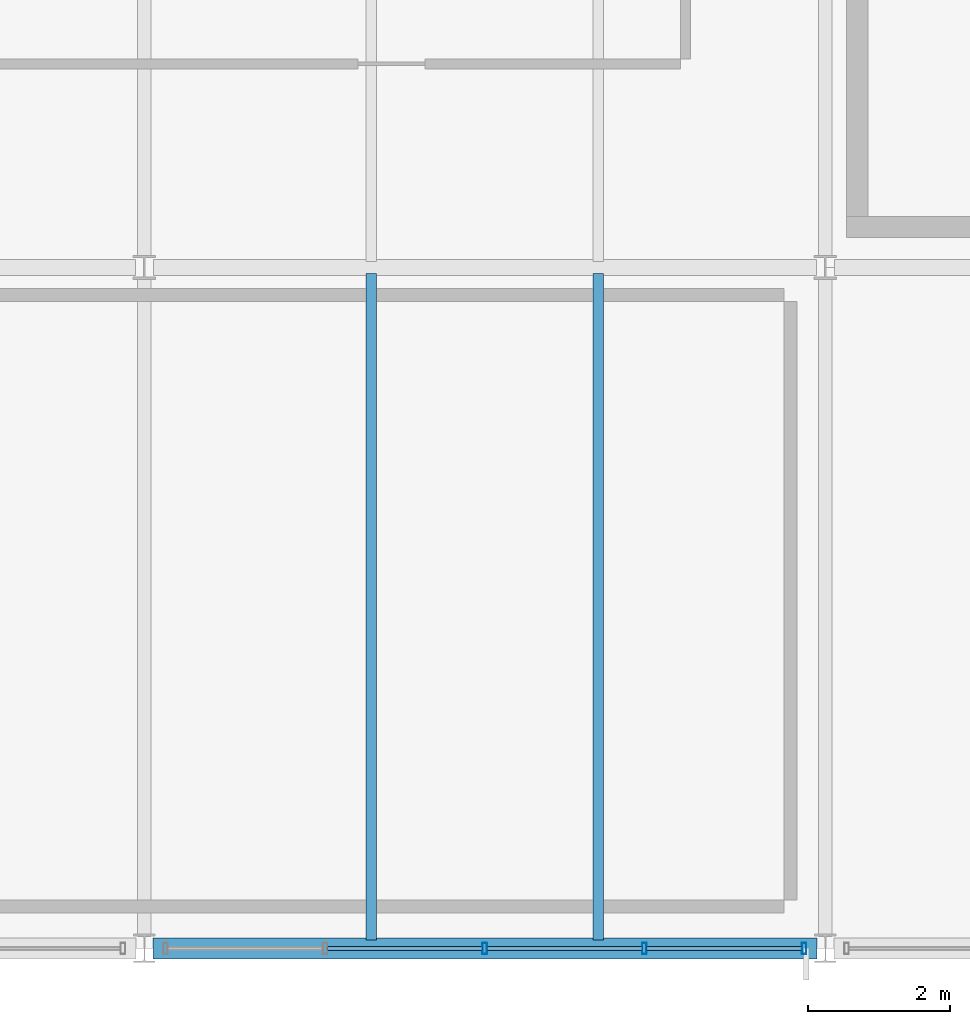
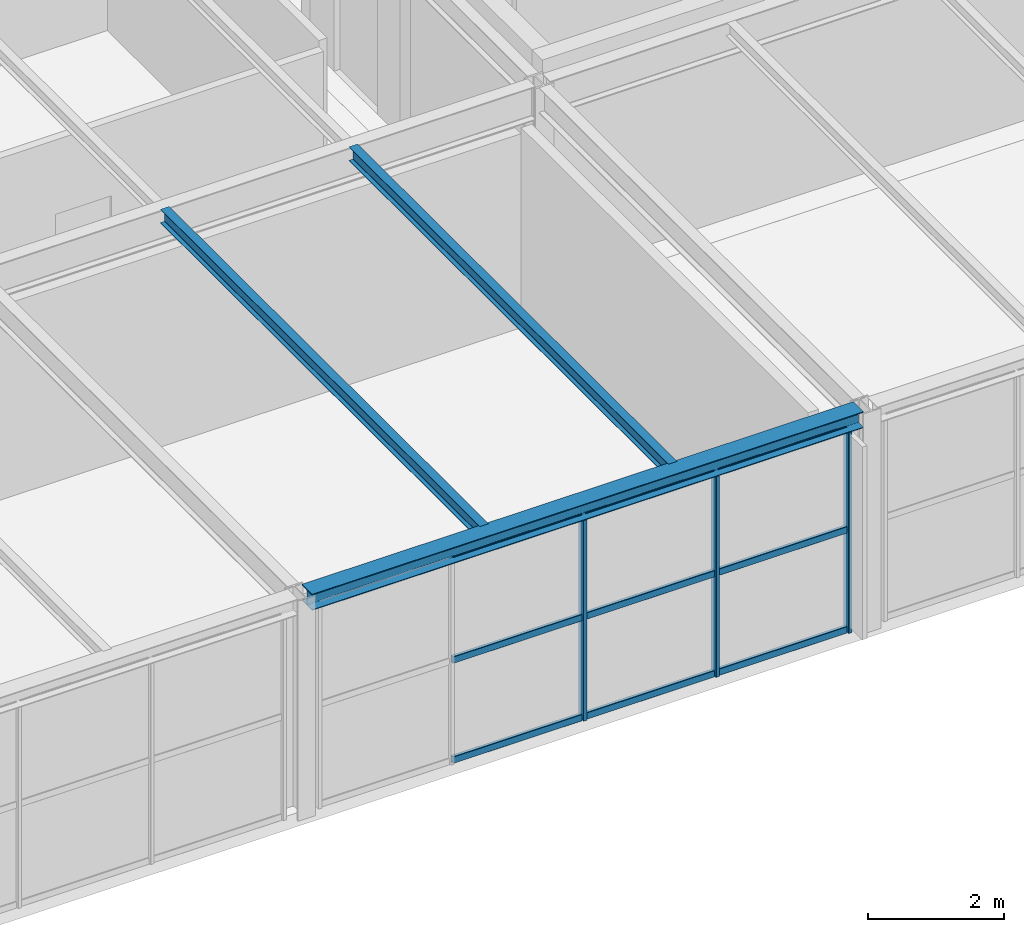
# One storey, part 25 of 126: 12 members, 3 beams, 1 element without a shape of its own.
"""IFC4 building model written with IfcOpenShell, lengths in metres."""

from ifc_helpers import new_model, si_unit, direction, frame, origin, origin_2d, place, context, subcontext, project, spatial, hollow_rectangle, i_section, extrude, material, material_profile, profile_set, type_object, element, aggregate, save


model = new_model("IFC4")

# Units and contexts
model_context = context("Model", 3, precision=1e-05, world=origin(), true_north=direction((0.0, 1.0)))
body_context = subcontext(model_context, "Body", "Model", "MODEL_VIEW")
ifc_project = project(units=[si_unit("LENGTHUNIT", "METRE"), si_unit("AREAUNIT", "SQUARE_METRE"), si_unit("VOLUMEUNIT", "CUBIC_METRE"), si_unit("PLANEANGLEUNIT", "RADIAN"), si_unit("MASSUNIT", "GRAM", prefix="KILO")], contexts=[model_context])

# Site, building, storey
site_placement = place(None, origin())
site = spatial("IfcSite", under=ifc_project, at=site_placement, CompositionType="ELEMENT")
building_placement = place(site_placement, origin())
building = spatial("IfcBuilding", under=site, at=building_placement, Name="Coralgate Yard Interchange", CompositionType="ELEMENT")
storey_placement = place(building_placement, frame((0.0, 0.0, 10.5)))
storey = spatial("IfcBuildingStorey", under=building, at=storey_placement, Name="L02", CompositionType="ELEMENT", Elevation=10.5)

# Beams
ifc_material_1 = material(Name="Structural steel S355J2", Category="steel")
ifc_material_profile_1 = material_profile(ifc_material_1, i_section(OverallWidth=0.14599609375, OverallDepth=0.25146484375, WebThickness=0.006103515625, FlangeThickness=0.008544921875, FilletRadius=0.007568359375, at=origin_2d()), Name="UB 254x146x31")
ifc_profile_set_1 = profile_set([ifc_material_profile_1], Name="Structural steel S355J2")
beam_type_1 = type_object("IfcBeamType", Name="BM-SJ-2", PredefinedType="JOIST", material=ifc_profile_set_1)
for number, where, z_axis, x_axis, name in (
    (1, (41.60009765625, 0.1201171875, 3.82421875), (0.0, 1.0, 0.0), (-1.0, 0.0, 0.0), "L02 composite floor joist 4-0-1"),
    (2, (44.800048828125, 0.1201171875, 3.82421875), (0.0, 1.0, 0.0), (-1.0, 0.0, 0.0), "L02 composite floor joist 4-0-2"),
):
    element("IfcBeam", number, at=place(storey_placement, frame(where, z_axis=z_axis, x_axis=x_axis)), inside=storey, type_object=beam_type_1, Name=name, PredefinedType="JOIST", context=body_context, shape_type="SweptSolid", body=[
        extrude(i_section(OverallWidth=0.14599609375, OverallDepth=0.25146484375, WebThickness=0.006103515625, FlangeThickness=0.008544921875, FilletRadius=0.007568359375, at=origin_2d()), origin(), (0.0, 0.0, 1.0), 9.395751953125),
    ])
ifc_material_profile_2 = material_profile(ifc_material_1, i_section(OverallWidth=0.300048828125, OverallDepth=0.2900390625, WebThickness=0.008544921875, FlangeThickness=0.013916015625, FilletRadius=0.027099609375, at=origin_2d()), Name="HEA 300")
ifc_profile_set_2 = profile_set([ifc_material_profile_2], Name="Structural steel S355J2")
beam_type_2 = type_object("IfcBeamType", Name="BM-SP-2", PredefinedType="SPANDREL", material=ifc_profile_set_2)
beam_placement = place(storey_placement, frame((38.52001953125, 0.0, 3.804931640625), z_axis=(1.0, 0.0, 0.0), x_axis=(0.0, 1.0, 0.0)))
element("IfcBeam", 3, at=beam_placement, inside=storey, type_object=beam_type_2, Name="L02 primary grid beam Y0 X4-5", PredefinedType="SPANDREL", context=body_context, shape_type="SweptSolid", body=[
    extrude(i_section(OverallWidth=0.300048828125, OverallDepth=0.2900390625, WebThickness=0.008544921875, FlangeThickness=0.013916015625, FilletRadius=0.027099609375, at=origin_2d()), origin(), (0.0, 0.0, 1.0), 9.35986328125),
])

# Curtain wall, members
ifc_material_2 = material(Name="Anodised coastal aluminium and solar-control low-E glass", Category="aluminium")
curtain_wall_type = type_object("IfcCurtainWallType", Name="CW-CW-L02-A", PredefinedType="NOTDEFINED", material=ifc_material_2)
curtain_wall_placement = place(storey_placement, origin())
curtain_wall = element("IfcCurtainWall", 4, at=curtain_wall_placement, inside=storey, type_object=curtain_wall_type, Name="L02 unitised curtain wall CW-L02-S-04-00", PredefinedType="NOTDEFINED")
ifc_material_3 = material(Name="Anodised coastal aluminium 6063-T6", Category="aluminium")
ifc_material_profile_3 = material_profile(ifc_material_3, hollow_rectangle(XDim=0.06494140625, YDim=0.159912109375, WallThickness=0.00390625, InnerFilletRadius=0.00390625, OuterFilletRadius=0.008056640625, at=origin_2d()), Name="ALU 65x160x4")
ifc_profile_set_3 = profile_set([ifc_material_profile_3], Name="Anodised coastal aluminium 6063-T6")
member_type_1 = type_object("IfcMemberType", Name="MB-MUL-160", PredefinedType="MULLION", material=ifc_profile_set_3)
member_1_placement = place(storey_placement, frame((47.699951171875, 0.0, 0.0), z_axis=(0.0, 0.0, 1.0), x_axis=(1.0, 0.0, 0.0)))
member_1 = element("IfcMember", 5, at=member_1_placement, type_object=member_type_1, Name="CW-L02-S-04-00 vertical mullion 1", PredefinedType="MULLION", context=body_context, shape_type="SweptSolid", body=[
    extrude(hollow_rectangle(XDim=0.06494140625, YDim=0.159912109375, WallThickness=0.00390625, InnerFilletRadius=0.00390625, OuterFilletRadius=0.008056640625, at=origin_2d()), origin(), (0.0, 0.0, 1.0), 3.659912109375),
])
member_2_placement = place(storey_placement, frame((45.449951171875, 0.0, 0.0), z_axis=(0.0, 0.0, 1.0), x_axis=(1.0, 0.0, 0.0)))
member_2 = element("IfcMember", 6, at=member_2_placement, type_object=member_type_1, Name="CW-L02-S-04-00 vertical mullion 2", PredefinedType="MULLION", context=body_context, shape_type="SweptSolid", body=[
    extrude(hollow_rectangle(XDim=0.06494140625, YDim=0.159912109375, WallThickness=0.00390625, InnerFilletRadius=0.00390625, OuterFilletRadius=0.008056640625, at=origin_2d()), origin(), (0.0, 0.0, 1.0), 3.659912109375),
])
member_3_placement = place(storey_placement, frame((43.199951171875, 0.0, 0.0), z_axis=(0.0, 0.0, 1.0), x_axis=(1.0, 0.0, 0.0)))
member_3 = element("IfcMember", 7, at=member_3_placement, type_object=member_type_1, Name="CW-L02-S-04-00 vertical mullion 3", PredefinedType="MULLION", context=body_context, shape_type="SweptSolid", body=[
    extrude(hollow_rectangle(XDim=0.06494140625, YDim=0.159912109375, WallThickness=0.00390625, InnerFilletRadius=0.00390625, OuterFilletRadius=0.008056640625, at=origin_2d()), origin(), (0.0, 0.0, 1.0), 3.659912109375),
])
ifc_material_profile_4 = material_profile(ifc_material_3, hollow_rectangle(XDim=0.06005859375, YDim=0.1201171875, WallThickness=0.00341796875, InnerFilletRadius=0.00341796875, OuterFilletRadius=0.007080078125, at=origin_2d()), Name="ALU 60x120x3.5")
ifc_profile_set_4 = profile_set([ifc_material_profile_4], Name="Anodised coastal aluminium 6063-T6")
member_type_2 = type_object("IfcMemberType", Name="MB-TRN-120", PredefinedType="USERDEFINED", material=ifc_profile_set_4)
member_4_placement = place(storey_placement, frame((47.669921875, 0.0, 0.034912109375), z_axis=(-1.0, 0.0, 0.0), x_axis=(0.0, -1.0, 0.0)))
member_4 = element("IfcMember", 8, at=member_4_placement, type_object=member_type_2, Name="CW-L02-S-04-00 horizontal transom 1-1", ObjectType="TRANSOM", PredefinedType="USERDEFINED", context=body_context, shape_type="SweptSolid", body=[
    extrude(hollow_rectangle(XDim=0.06005859375, YDim=0.1201171875, WallThickness=0.00341796875, InnerFilletRadius=0.00341796875, OuterFilletRadius=0.007080078125, at=origin_2d()), origin(), (0.0, 0.0, 1.0), 2.18994140625),
])
member_5_placement = place(storey_placement, frame((47.669921875, 0.0, 1.830078125), z_axis=(-1.0, 0.0, 0.0), x_axis=(0.0, -1.0, 0.0)))
member_5 = element("IfcMember", 9, at=member_5_placement, type_object=member_type_2, Name="CW-L02-S-04-00 horizontal transom 1-2", ObjectType="TRANSOM", PredefinedType="USERDEFINED", context=body_context, shape_type="SweptSolid", body=[
    extrude(hollow_rectangle(XDim=0.06005859375, YDim=0.1201171875, WallThickness=0.00341796875, InnerFilletRadius=0.00341796875, OuterFilletRadius=0.007080078125, at=origin_2d()), origin(), (0.0, 0.0, 1.0), 2.18994140625),
])
member_6_placement = place(storey_placement, frame((47.669921875, 0.0, 3.625), z_axis=(-1.0, 0.0, 0.0), x_axis=(0.0, -1.0, 0.0)))
member_6 = element("IfcMember", 10, at=member_6_placement, type_object=member_type_2, Name="CW-L02-S-04-00 horizontal transom 1-3", ObjectType="TRANSOM", PredefinedType="USERDEFINED", context=body_context, shape_type="SweptSolid", body=[
    extrude(hollow_rectangle(XDim=0.06005859375, YDim=0.1201171875, WallThickness=0.00341796875, InnerFilletRadius=0.00341796875, OuterFilletRadius=0.007080078125, at=origin_2d()), origin(), (0.0, 0.0, 1.0), 2.18994140625),
])
member_7_placement = place(storey_placement, frame((45.419921875, 0.0, 0.034912109375), z_axis=(-1.0, 0.0, 0.0), x_axis=(0.0, -1.0, 0.0)))
member_7 = element("IfcMember", 11, at=member_7_placement, type_object=member_type_2, Name="CW-L02-S-04-00 horizontal transom 2-1", ObjectType="TRANSOM", PredefinedType="USERDEFINED", context=body_context, shape_type="SweptSolid", body=[
    extrude(hollow_rectangle(XDim=0.06005859375, YDim=0.1201171875, WallThickness=0.00341796875, InnerFilletRadius=0.00341796875, OuterFilletRadius=0.007080078125, at=origin_2d()), origin(), (0.0, 0.0, 1.0), 2.18994140625),
])
member_8_placement = place(storey_placement, frame((45.419921875, 0.0, 1.830078125), z_axis=(-1.0, 0.0, 0.0), x_axis=(0.0, -1.0, 0.0)))
member_8 = element("IfcMember", 12, at=member_8_placement, type_object=member_type_2, Name="CW-L02-S-04-00 horizontal transom 2-2", ObjectType="TRANSOM", PredefinedType="USERDEFINED", context=body_context, shape_type="SweptSolid", body=[
    extrude(hollow_rectangle(XDim=0.06005859375, YDim=0.1201171875, WallThickness=0.00341796875, InnerFilletRadius=0.00341796875, OuterFilletRadius=0.007080078125, at=origin_2d()), origin(), (0.0, 0.0, 1.0), 2.18994140625),
])
member_9_placement = place(storey_placement, frame((45.419921875, 0.0, 3.625), z_axis=(-1.0, 0.0, 0.0), x_axis=(0.0, -1.0, 0.0)))
member_9 = element("IfcMember", 13, at=member_9_placement, type_object=member_type_2, Name="CW-L02-S-04-00 horizontal transom 2-3", ObjectType="TRANSOM", PredefinedType="USERDEFINED", context=body_context, shape_type="SweptSolid", body=[
    extrude(hollow_rectangle(XDim=0.06005859375, YDim=0.1201171875, WallThickness=0.00341796875, InnerFilletRadius=0.00341796875, OuterFilletRadius=0.007080078125, at=origin_2d()), origin(), (0.0, 0.0, 1.0), 2.18994140625),
])
member_10_placement = place(storey_placement, frame((43.169921875, 0.0, 0.034912109375), z_axis=(-1.0, 0.0, 0.0), x_axis=(0.0, -1.0, 0.0)))
member_10 = element("IfcMember", 14, at=member_10_placement, type_object=member_type_2, Name="CW-L02-S-04-00 horizontal transom 3-1", ObjectType="TRANSOM", PredefinedType="USERDEFINED", context=body_context, shape_type="SweptSolid", body=[
    extrude(hollow_rectangle(XDim=0.06005859375, YDim=0.1201171875, WallThickness=0.00341796875, InnerFilletRadius=0.00341796875, OuterFilletRadius=0.007080078125, at=origin_2d()), origin(), (0.0, 0.0, 1.0), 2.18994140625),
])
member_11_placement = place(storey_placement, frame((43.169921875, 0.0, 1.830078125), z_axis=(-1.0, 0.0, 0.0), x_axis=(0.0, -1.0, 0.0)))
member_11 = element("IfcMember", 15, at=member_11_placement, type_object=member_type_2, Name="CW-L02-S-04-00 horizontal transom 3-2", ObjectType="TRANSOM", PredefinedType="USERDEFINED", context=body_context, shape_type="SweptSolid", body=[
    extrude(hollow_rectangle(XDim=0.06005859375, YDim=0.1201171875, WallThickness=0.00341796875, InnerFilletRadius=0.00341796875, OuterFilletRadius=0.007080078125, at=origin_2d()), origin(), (0.0, 0.0, 1.0), 2.18994140625),
])
member_12_placement = place(storey_placement, frame((43.169921875, 0.0, 3.625), z_axis=(-1.0, 0.0, 0.0), x_axis=(0.0, -1.0, 0.0)))
member_12 = element("IfcMember", 16, at=member_12_placement, type_object=member_type_2, Name="CW-L02-S-04-00 horizontal transom 3-3", ObjectType="TRANSOM", PredefinedType="USERDEFINED", context=body_context, shape_type="SweptSolid", body=[
    extrude(hollow_rectangle(XDim=0.06005859375, YDim=0.1201171875, WallThickness=0.00341796875, InnerFilletRadius=0.00341796875, OuterFilletRadius=0.007080078125, at=origin_2d()), origin(), (0.0, 0.0, 1.0), 2.18994140625),
])
aggregate(curtain_wall, [member_1, member_2, member_3, member_4, member_5, member_6, member_7, member_8, member_9, member_10, member_11, member_12])

save(model, "model.ifc")
